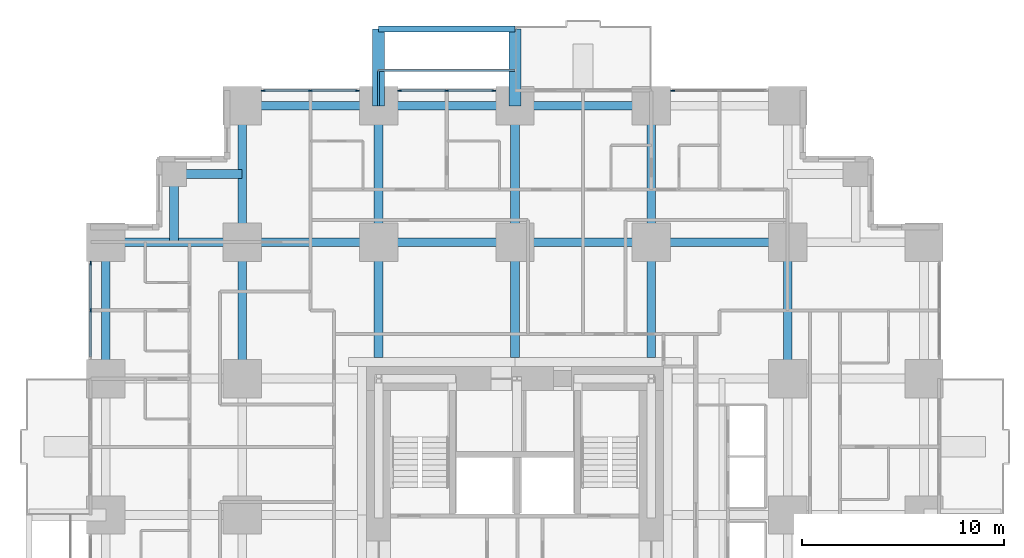
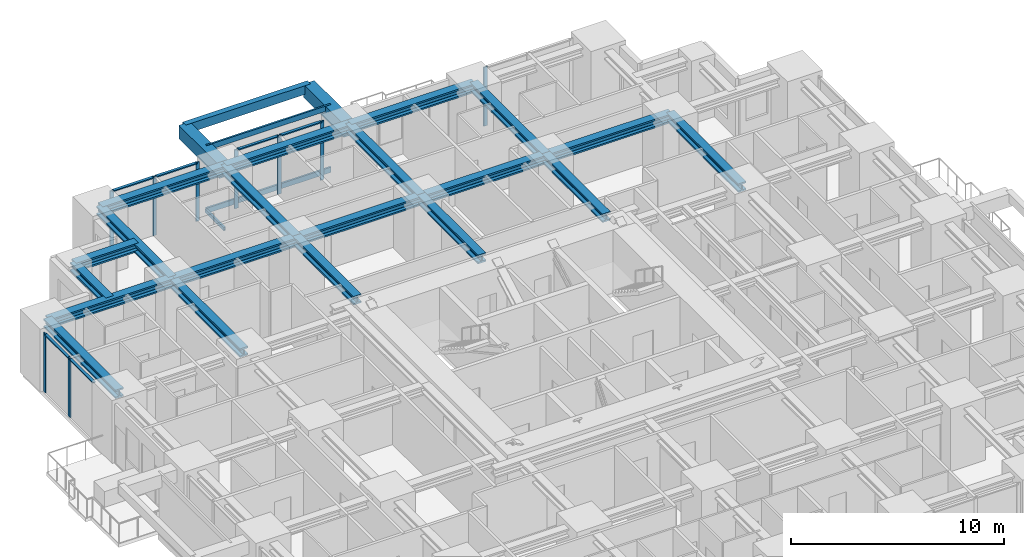
# One storey, part 5 of 14: 23 beams, 18 members, 4 elements without a shape of their own.
"""IFC4 building model written with IfcOpenShell, lengths in metres."""

from ifc_helpers import new_model, si_unit, direction, frame, origin, origin_2d, place, context, subcontext, project, spatial, rectangle, hollow_rectangle, i_section, extrude, material, material_profile, profile_set, type_object, element, aggregate, save


model = new_model("IFC4")

# Units and contexts
model_context = context("Model", 3, precision=1e-05, world=origin(), true_north=direction((0.0, 1.0)))
body_context = subcontext(model_context, "Body", "Model", "MODEL_VIEW")
ifc_project = project(units=[si_unit("LENGTHUNIT", "METRE"), si_unit("AREAUNIT", "SQUARE_METRE"), si_unit("VOLUMEUNIT", "CUBIC_METRE"), si_unit("PLANEANGLEUNIT", "RADIAN"), si_unit("MASSUNIT", "GRAM", prefix="KILO")], contexts=[model_context])

# Site, building, storey
site_placement = place(None, origin())
site = spatial("IfcSite", under=ifc_project, at=site_placement, CompositionType="ELEMENT")
building_placement = place(site_placement, origin())
building = spatial("IfcBuilding", under=site, at=building_placement, Name="Nyansa Garden Tower", CompositionType="ELEMENT")
storey_placement = place(building_placement, frame((0.0, 0.0, 21.60009765625)))
storey = spatial("IfcBuildingStorey", under=building, at=storey_placement, Name="L05", CompositionType="ELEMENT", Elevation=21.60009765625)

# Beams
ifc_material_1 = material(Name="Concrete C70/85", Category="concrete")
ifc_material_profile_1 = material_profile(ifc_material_1, rectangle(XDim=0.60009765625, YDim=0.75, at=origin_2d()), Name="RC 600x750")
ifc_profile_set_1 = profile_set([ifc_material_profile_1], Name="Concrete C70/85")
beam_type_1 = type_object("IfcBeamType", Name="Balcony cantilever beam CB1 RC 600x750", PredefinedType="BEAM", material=ifc_profile_set_1)
for number, where, z_axis, x_axis, name in (
    (1, (13.5, 40.5, 2.98486328125), (0.0, 1.0, 0.0), (-1.0, 0.0, 0.0), "Balcony cantilever beam L06"),
    (2, (20.25, 40.5, 2.98486328125), (0.0, 1.0, 0.0), (-1.0, 0.0, 0.0), "Balcony cantilever beam L06"),
):
    element("IfcBeam", number, at=place(storey_placement, frame(where, z_axis=z_axis, x_axis=x_axis)), inside=storey, type_object=beam_type_1, Name=name, PredefinedType="BEAM", context=body_context, shape_type="SweptSolid", body=[
        extrude(rectangle(XDim=0.60009765625, YDim=0.75, at=origin_2d()), origin(), (0.0, 0.0, 1.0), 3.800048828125),
    ])
ifc_material_2 = material(Name="Concrete C70/85", Category="concrete")
ifc_material_profile_2 = material_profile(ifc_material_2, rectangle(XDim=0.300048828125, YDim=0.5, at=origin_2d()), Name="RC 300x500")
ifc_profile_set_2 = profile_set([ifc_material_profile_2], Name="Concrete C70/85")
beam_type_2 = type_object("IfcBeamType", Name="Balcony edge beam BE1 RC 300x500", PredefinedType="BEAM", material=ifc_profile_set_2)
beam_1_placement = place(storey_placement, frame((13.5, 44.300048828125, 3.10986328125), z_axis=(1.0, 0.0, 0.0), x_axis=(0.0, 1.0, 0.0)))
element("IfcBeam", 3, at=beam_1_placement, inside=storey, type_object=beam_type_2, Name="Balcony edge beam L06", PredefinedType="BEAM", context=body_context, shape_type="SweptSolid", body=[
    extrude(rectangle(XDim=0.300048828125, YDim=0.5, at=origin_2d()), origin(), (0.0, 0.0, 1.0), 6.75),
])

# Curtain wall, members
ifc_material_3 = material(Name="Black anodised aluminium, dark tinted double glazing", Category="aluminium")
curtain_wall_type = type_object("IfcCurtainWallType", Name="Inner skin curtain wall ISW-A", PredefinedType="USERDEFINED", material=ifc_material_3)
curtain_wall_1_placement = place(storey_placement, origin())
curtain_wall_1 = element("IfcCurtainWall", 4, at=curtain_wall_1_placement, inside=storey, type_object=curtain_wall_type, Name="Inner skin curtain wall L05 N", ObjectType="UNITISED CURTAIN WALL", PredefinedType="USERDEFINED")
ifc_material_4 = material(Name="Black anodised aluminium", Category="aluminium")
ifc_material_profile_3 = material_profile(ifc_material_4, rectangle(XDim=0.06494140625, YDim=0.199951171875, at=origin_2d()), Name="Mullion 200x65")
ifc_profile_set_3 = profile_set([ifc_material_profile_3], Name="Black anodised aluminium")
member_type_1 = type_object("IfcMemberType", Name="Mullion ISW-A 200x65", PredefinedType="MULLION", material=ifc_profile_set_3)
member_1_placement = place(storey_placement, frame((19.199951171875, 41.25, 0.0), z_axis=(0.0, 0.0, 1.0), x_axis=(0.0, -1.0, 0.0)))
member_1 = element("IfcMember", 5, at=member_1_placement, type_object=member_type_1, Name="ISW-A mullion 1", PredefinedType="MULLION", context=body_context, shape_type="SweptSolid", body=[
    extrude(rectangle(XDim=0.06494140625, YDim=0.199951171875, at=origin_2d()), origin(), (0.0, 0.0, 1.0), 3.375),
])
member_2_placement = place(storey_placement, frame((16.875, 41.25, 0.0), z_axis=(0.0, 0.0, 1.0), x_axis=(0.0, -1.0, 0.0)))
member_2 = element("IfcMember", 6, at=member_2_placement, type_object=member_type_1, Name="ISW-A mullion 2", PredefinedType="MULLION", context=body_context, shape_type="SweptSolid", body=[
    extrude(rectangle(XDim=0.06494140625, YDim=0.199951171875, at=origin_2d()), origin(), (0.0, 0.0, 1.0), 3.375),
])
member_3_placement = place(storey_placement, frame((14.550048828125, 41.25, 0.0), z_axis=(0.0, 0.0, 1.0), x_axis=(0.0, -1.0, 0.0)))
member_3 = element("IfcMember", 7, at=member_3_placement, type_object=member_type_1, Name="ISW-A mullion 3", PredefinedType="MULLION", context=body_context, shape_type="SweptSolid", body=[
    extrude(rectangle(XDim=0.06494140625, YDim=0.199951171875, at=origin_2d()), origin(), (0.0, 0.0, 1.0), 3.375),
])

curtain_wall_2_placement = place(storey_placement, origin())
curtain_wall_2 = element("IfcCurtainWall", 8, at=curtain_wall_2_placement, inside=storey, type_object=curtain_wall_type, Name="Inner skin curtain wall L05 N", ObjectType="UNITISED CURTAIN WALL", PredefinedType="USERDEFINED")
member_4_placement = place(storey_placement, frame((12.449951171875, 41.25, 0.0), z_axis=(0.0, 0.0, 1.0), x_axis=(0.0, -1.0, 0.0)))
member_4 = element("IfcMember", 9, at=member_4_placement, type_object=member_type_1, Name="ISW-A mullion 1", PredefinedType="MULLION", context=body_context, shape_type="SweptSolid", body=[
    extrude(rectangle(XDim=0.06494140625, YDim=0.199951171875, at=origin_2d()), origin(), (0.0, 0.0, 1.0), 3.375),
])
member_5_placement = place(storey_placement, frame((10.125, 41.25, 0.0), z_axis=(0.0, 0.0, 1.0), x_axis=(0.0, -1.0, 0.0)))
member_5 = element("IfcMember", 10, at=member_5_placement, type_object=member_type_1, Name="ISW-A mullion 2", PredefinedType="MULLION", context=body_context, shape_type="SweptSolid", body=[
    extrude(rectangle(XDim=0.06494140625, YDim=0.199951171875, at=origin_2d()), origin(), (0.0, 0.0, 1.0), 3.375),
])
member_6_placement = place(storey_placement, frame((7.800048828125, 41.25, 0.0), z_axis=(0.0, 0.0, 1.0), x_axis=(0.0, -1.0, 0.0)))
member_6 = element("IfcMember", 11, at=member_6_placement, type_object=member_type_1, Name="ISW-A mullion 3", PredefinedType="MULLION", context=body_context, shape_type="SweptSolid", body=[
    extrude(rectangle(XDim=0.06494140625, YDim=0.199951171875, at=origin_2d()), origin(), (0.0, 0.0, 1.0), 3.375),
])

# Curtain wall, member
curtain_wall_3_placement = place(storey_placement, origin())
curtain_wall_3 = element("IfcCurtainWall", 12, at=curtain_wall_3_placement, inside=storey, type_object=curtain_wall_type, Name="Inner skin curtain wall L05 N", ObjectType="UNITISED CURTAIN WALL", PredefinedType="USERDEFINED")
member_7_placement = place(storey_placement, frame((28.050048828125, 41.25, 0.0), z_axis=(0.0, 0.0, 1.0), x_axis=(0.0, -1.0, 0.0)))
member_7 = element("IfcMember", 13, at=member_7_placement, type_object=member_type_1, Name="ISW-A mullion 3", PredefinedType="MULLION", context=body_context, shape_type="SweptSolid", body=[
    extrude(rectangle(XDim=0.06494140625, YDim=0.199951171875, at=origin_2d()), origin(), (0.0, 0.0, 1.0), 3.375),
])
aggregate(curtain_wall_3, [member_7])

# Curtain wall, members
curtain_wall_4_placement = place(storey_placement, origin())
curtain_wall_4 = element("IfcCurtainWall", 14, at=curtain_wall_4_placement, inside=storey, type_object=curtain_wall_type, Name="Inner skin curtain wall L05 W", ObjectType="UNITISED CURTAIN WALL", PredefinedType="USERDEFINED")
member_8_placement = place(storey_placement, frame((-0.75, 32.699951171875, 0.0), z_axis=(0.0, 0.0, 1.0), x_axis=(1.0, 0.0, 0.0)))
member_8 = element("IfcMember", 15, at=member_8_placement, type_object=member_type_1, Name="ISW-A mullion 1", PredefinedType="MULLION", context=body_context, shape_type="SweptSolid", body=[
    extrude(rectangle(XDim=0.06494140625, YDim=0.199951171875, at=origin_2d()), origin(), (0.0, 0.0, 1.0), 3.375),
])
member_9_placement = place(storey_placement, frame((-0.75, 30.375, 0.0), z_axis=(0.0, 0.0, 1.0), x_axis=(1.0, 0.0, 0.0)))
member_9 = element("IfcMember", 16, at=member_9_placement, type_object=member_type_1, Name="ISW-A mullion 2", PredefinedType="MULLION", context=body_context, shape_type="SweptSolid", body=[
    extrude(rectangle(XDim=0.06494140625, YDim=0.199951171875, at=origin_2d()), origin(), (0.0, 0.0, 1.0), 3.375),
])

# Members
ifc_material_5 = material(Name="Steel S355, black powder coated", Category="steel")
ifc_material_profile_4 = material_profile(ifc_material_5, hollow_rectangle(XDim=0.10009765625, YDim=0.199951171875, WallThickness=0.008056640625, at=origin_2d()), Name="RHS 200x100x8")
ifc_profile_set_4 = profile_set([ifc_material_profile_4], Name="Steel S355, black powder coated")
member_type_2 = type_object("IfcMemberType", Name="Outer skin bracket arm RHS 200x100x8", PredefinedType="USERDEFINED", material=ifc_profile_set_4)
member_10_placement = place(storey_placement, frame((13.5, 40.5, -0.375), z_axis=(0.0, 1.0, 0.0), x_axis=(-1.0, 0.0, 0.0)))
element("IfcMember", 17, at=member_10_placement, inside=storey, type_object=member_type_2, Name="Outer skin bracket arm", ObjectType="OUTER SKIN BRACKET", PredefinedType="USERDEFINED", context=body_context, shape_type="SweptSolid", body=[
    extrude(hollow_rectangle(XDim=0.10009765625, YDim=0.199951171875, WallThickness=0.008056640625, at=origin_2d()), origin(), (0.0, 0.0, 1.0), 1.75),
])
ifc_material_6 = material(Name="Steel S355, black powder coated", Category="steel")
ifc_material_profile_5 = material_profile(ifc_material_6, hollow_rectangle(XDim=0.10009765625, YDim=0.300048828125, WallThickness=0.010009765625, at=origin_2d()), Name="RHS 300x100x10")
ifc_profile_set_5 = profile_set([ifc_material_profile_5], Name="Steel S355, black powder coated")
member_type_3 = type_object("IfcMemberType", Name="Outer skin rail RHS 300x100x10", PredefinedType="USERDEFINED", material=ifc_profile_set_5)
for number, where, z_axis, x_axis, name in (
    (18, (13.5, 42.25, -0.375), (1.0, 0.0, 0.0), (0.0, 1.0, 0.0), "Outer skin rail L05"),
    (19, (13.5, 42.25, 3.224853515625), (1.0, 0.0, 0.0), (0.0, 1.0, 0.0), "Outer skin rail L05 head"),
):
    element("IfcMember", number, at=place(storey_placement, frame(where, z_axis=z_axis, x_axis=x_axis)), inside=storey, type_object=member_type_3, Name=name, ObjectType="OUTER SKIN RAIL", PredefinedType="USERDEFINED", context=body_context, shape_type="SweptSolid", body=[
        extrude(hollow_rectangle(XDim=0.10009765625, YDim=0.300048828125, WallThickness=0.010009765625, at=origin_2d()), origin(), (0.0, 0.0, 1.0), 6.75),
    ])

# Beams
ifc_material_7 = material(Name="Steel S355", Category="steel")
ifc_material_profile_6 = material_profile(ifc_material_7, i_section(OverallWidth=0.431884765625, OverallDepth=0.498046875, WebThickness=0.0556640625, FlangeThickness=0.0888671875, FilletRadius=0.014892578125, at=origin_2d()), Name="HD 400x744")
ifc_profile_set_6 = profile_set([ifc_material_profile_6], Name="Steel S355")
beam_type_3 = type_object("IfcBeamType", Name="Steel beam SBA1-744 HD 400x744", PredefinedType="BEAM", material=ifc_profile_set_6)
for number, where, z_axis, x_axis, name in (
    (20, (0.0, 33.75, 3.1259765625), (1.0, 0.0, 0.0), (0.0, 1.0, 0.0), "Steel beam 2/J-3/J L06"),
    (21, (6.75, 27.0, 3.1259765625), (0.0, 1.0, 0.0), (-1.0, 0.0, 0.0), "Steel beam 3/H-3/J L06"),
    (22, (6.75, 33.75, 3.1259765625), (0.0, 1.0, 0.0), (-1.0, 0.0, 0.0), "Steel beam 3/J-3/K L06"),
    (23, (6.75, 33.75, 3.1259765625), (1.0, 0.0, 0.0), (0.0, 1.0, 0.0), "Steel beam 3/J-4/J L06"),
):
    element("IfcBeam", number, at=place(storey_placement, frame(where, z_axis=z_axis, x_axis=x_axis)), inside=storey, type_object=beam_type_3, Name=name, PredefinedType="BEAM", context=body_context, shape_type="SweptSolid", body=[
        extrude(i_section(OverallWidth=0.431884765625, OverallDepth=0.498046875, WebThickness=0.0556640625, FlangeThickness=0.0888671875, FilletRadius=0.014892578125, at=origin_2d()), origin(), (0.0, 0.0, 1.0), 6.75),
    ])
beam_2_placement = place(storey_placement, frame((13.5, 28.050048828125, 3.1259765625), z_axis=(0.0, 1.0, 0.0), x_axis=(-1.0, 0.0, 0.0)))
element("IfcBeam", 24, at=beam_2_placement, inside=storey, type_object=beam_type_3, Name="Steel beam 4/28.050-4/J L06", PredefinedType="BEAM", context=body_context, shape_type="SweptSolid", body=[
    extrude(i_section(OverallWidth=0.431884765625, OverallDepth=0.498046875, WebThickness=0.0556640625, FlangeThickness=0.0888671875, FilletRadius=0.014892578125, at=origin_2d()), origin(), (0.0, 0.0, 1.0), 5.699951171875),
])
for number, where, z_axis, x_axis, name in (
    (25, (13.5, 33.75, 3.1259765625), (0.0, 1.0, 0.0), (-1.0, 0.0, 0.0), "Steel beam 4/J-4/K L06"),
    (26, (13.5, 33.75, 3.1259765625), (1.0, 0.0, 0.0), (0.0, 1.0, 0.0), "Steel beam 4/J-5/J L06"),
):
    element("IfcBeam", number, at=place(storey_placement, frame(where, z_axis=z_axis, x_axis=x_axis)), inside=storey, type_object=beam_type_3, Name=name, PredefinedType="BEAM", context=body_context, shape_type="SweptSolid", body=[
        extrude(i_section(OverallWidth=0.431884765625, OverallDepth=0.498046875, WebThickness=0.0556640625, FlangeThickness=0.0888671875, FilletRadius=0.014892578125, at=origin_2d()), origin(), (0.0, 0.0, 1.0), 6.75),
    ])
beam_3_placement = place(storey_placement, frame((20.25, 28.050048828125, 3.1259765625), z_axis=(0.0, 1.0, 0.0), x_axis=(-1.0, 0.0, 0.0)))
element("IfcBeam", 27, at=beam_3_placement, inside=storey, type_object=beam_type_3, Name="Steel beam 5/28.050-5/J L06", PredefinedType="BEAM", context=body_context, shape_type="SweptSolid", body=[
    extrude(i_section(OverallWidth=0.431884765625, OverallDepth=0.498046875, WebThickness=0.0556640625, FlangeThickness=0.0888671875, FilletRadius=0.014892578125, at=origin_2d()), origin(), (0.0, 0.0, 1.0), 5.699951171875),
])
for number, where, z_axis, x_axis, name in (
    (28, (20.25, 33.75, 3.1259765625), (0.0, 1.0, 0.0), (-1.0, 0.0, 0.0), "Steel beam 5/J-5/K L06"),
    (29, (20.25, 33.75, 3.1259765625), (1.0, 0.0, 0.0), (0.0, 1.0, 0.0), "Steel beam 5/J-6/J L06"),
):
    element("IfcBeam", number, at=place(storey_placement, frame(where, z_axis=z_axis, x_axis=x_axis)), inside=storey, type_object=beam_type_3, Name=name, PredefinedType="BEAM", context=body_context, shape_type="SweptSolid", body=[
        extrude(i_section(OverallWidth=0.431884765625, OverallDepth=0.498046875, WebThickness=0.0556640625, FlangeThickness=0.0888671875, FilletRadius=0.014892578125, at=origin_2d()), origin(), (0.0, 0.0, 1.0), 6.75),
    ])
beam_4_placement = place(storey_placement, frame((27.0, 28.050048828125, 3.1259765625), z_axis=(0.0, 1.0, 0.0), x_axis=(-1.0, 0.0, 0.0)))
element("IfcBeam", 30, at=beam_4_placement, inside=storey, type_object=beam_type_3, Name="Steel beam 6/28.050-6/J L06", PredefinedType="BEAM", context=body_context, shape_type="SweptSolid", body=[
    extrude(i_section(OverallWidth=0.431884765625, OverallDepth=0.498046875, WebThickness=0.0556640625, FlangeThickness=0.0888671875, FilletRadius=0.014892578125, at=origin_2d()), origin(), (0.0, 0.0, 1.0), 5.699951171875),
])
for number, where, z_axis, x_axis, name in (
    (31, (27.0, 33.75, 3.1259765625), (0.0, 1.0, 0.0), (-1.0, 0.0, 0.0), "Steel beam 6/J-6/K L06"),
    (32, (27.0, 33.75, 3.1259765625), (1.0, 0.0, 0.0), (0.0, 1.0, 0.0), "Steel beam 6/J-7/J L06"),
    (33, (33.75, 27.0, 3.1259765625), (0.0, 1.0, 0.0), (-1.0, 0.0, 0.0), "Steel beam 7/H-7/J L06"),
):
    element("IfcBeam", number, at=place(storey_placement, frame(where, z_axis=z_axis, x_axis=x_axis)), inside=storey, type_object=beam_type_3, Name=name, PredefinedType="BEAM", context=body_context, shape_type="SweptSolid", body=[
        extrude(i_section(OverallWidth=0.431884765625, OverallDepth=0.498046875, WebThickness=0.0556640625, FlangeThickness=0.0888671875, FilletRadius=0.014892578125, at=origin_2d()), origin(), (0.0, 0.0, 1.0), 6.75),
    ])
ifc_material_8 = material(Name="Steel S355", Category="steel")
ifc_material_profile_7 = material_profile(ifc_material_8, i_section(OverallWidth=0.431884765625, OverallDepth=0.498046875, WebThickness=0.0556640625, FlangeThickness=0.0888671875, FilletRadius=0.014892578125, at=origin_2d()), Name="HD 400x744")
ifc_profile_set_7 = profile_set([ifc_material_profile_7], Name="Steel S355")
beam_type_4 = type_object("IfcBeamType", Name="Steel beam SEBA-744 HD 400x744", PredefinedType="BEAM", material=ifc_profile_set_7)
for number, where, z_axis, x_axis, name in (
    (34, (0.0, 27.0, 3.1259765625), (0.0, 1.0, 0.0), (-1.0, 0.0, 0.0), "Steel edge beam 2/H-2/J L06"),
    (35, (6.75, 40.5, 3.1259765625), (1.0, 0.0, 0.0), (0.0, 1.0, 0.0), "Steel edge beam 3/K-4/K L06"),
    (36, (13.5, 40.5, 3.1259765625), (1.0, 0.0, 0.0), (0.0, 1.0, 0.0), "Steel edge beam 4/K-5/K L06"),
    (37, (20.25, 40.5, 3.1259765625), (1.0, 0.0, 0.0), (0.0, 1.0, 0.0), "Steel edge beam 5/K-6/K L06"),
):
    element("IfcBeam", number, at=place(storey_placement, frame(where, z_axis=z_axis, x_axis=x_axis)), inside=storey, type_object=beam_type_4, Name=name, PredefinedType="BEAM", context=body_context, shape_type="SweptSolid", body=[
        extrude(i_section(OverallWidth=0.431884765625, OverallDepth=0.498046875, WebThickness=0.0556640625, FlangeThickness=0.0888671875, FilletRadius=0.014892578125, at=origin_2d()), origin(), (0.0, 0.0, 1.0), 6.75),
    ])
ifc_material_9 = material(Name="Steel S355", Category="steel")
ifc_material_profile_8 = material_profile(ifc_material_9, i_section(OverallWidth=0.431884765625, OverallDepth=0.498046875, WebThickness=0.0556640625, FlangeThickness=0.0888671875, FilletRadius=0.014892578125, at=origin_2d()), Name="HD 400x744")
ifc_profile_set_8 = profile_set([ifc_material_profile_8], Name="Steel S355")
beam_type_5 = type_object("IfcBeamType", Name="Steel beam SSB1-744 HD 400x744", PredefinedType="BEAM", material=ifc_profile_set_8)
for number, where, z_axis, x_axis, name in (
    (38, (3.375, 37.125, 3.1259765625), (0.0, -1.0, 0.0), (1.0, 0.0, 0.0), "Steel step beam 3.375/37.125 L06"),
    (39, (3.375, 37.125, 3.1259765625), (1.0, 0.0, 0.0), (0.0, 1.0, 0.0), "Steel step beam 3.375/37.125 L06"),
):
    element("IfcBeam", number, at=place(storey_placement, frame(where, z_axis=z_axis, x_axis=x_axis)), inside=storey, type_object=beam_type_5, Name=name, PredefinedType="BEAM", context=body_context, shape_type="SweptSolid", body=[
        extrude(i_section(OverallWidth=0.431884765625, OverallDepth=0.498046875, WebThickness=0.0556640625, FlangeThickness=0.0888671875, FilletRadius=0.014892578125, at=origin_2d()), origin(), (0.0, 0.0, 1.0), 3.375),
    ])

# Member
ifc_material_10 = material(Name="Black anodised aluminium", Category="aluminium")
ifc_material_profile_9 = material_profile(ifc_material_10, rectangle(XDim=0.14990234375, YDim=0.06494140625, at=origin_2d()), Name="Transom 150x65")
ifc_profile_set_9 = profile_set([ifc_material_profile_9], Name="Black anodised aluminium")
member_type_4 = type_object("IfcMemberType", Name="Transom ISW-A 150x65", PredefinedType="USERDEFINED", material=ifc_profile_set_9)
member_11_placement = place(storey_placement, frame((19.16748046875, 41.25, 3.34228515625), z_axis=(-1.0, 0.0, 0.0), x_axis=(0.0, -1.0, 0.0)))
member_11 = element("IfcMember", 40, at=member_11_placement, type_object=member_type_4, Name="ISW-A transom 1", ObjectType="TRANSOM", PredefinedType="USERDEFINED", context=body_context, shape_type="SweptSolid", body=[
    extrude(rectangle(XDim=0.14990234375, YDim=0.06494140625, at=origin_2d()), origin(), (0.0, 0.0, 1.0), 2.260009765625),
])

member_12_placement = place(storey_placement, frame((16.842529296875, 41.25, 3.34228515625), z_axis=(-1.0, 0.0, 0.0), x_axis=(0.0, -1.0, 0.0)))
member_12 = element("IfcMember", 41, at=member_12_placement, type_object=member_type_4, Name="ISW-A transom 2", ObjectType="TRANSOM", PredefinedType="USERDEFINED", context=body_context, shape_type="SweptSolid", body=[
    extrude(rectangle(XDim=0.14990234375, YDim=0.06494140625, at=origin_2d()), origin(), (0.0, 0.0, 1.0), 2.260009765625),
])

aggregate(curtain_wall_1, [member_1, member_2, member_3, member_11, member_12])

member_13_placement = place(storey_placement, frame((12.41748046875, 41.25, 3.34228515625), z_axis=(-1.0, 0.0, 0.0), x_axis=(0.0, -1.0, 0.0)))
member_13 = element("IfcMember", 42, at=member_13_placement, type_object=member_type_4, Name="ISW-A transom 1", ObjectType="TRANSOM", PredefinedType="USERDEFINED", context=body_context, shape_type="SweptSolid", body=[
    extrude(rectangle(XDim=0.14990234375, YDim=0.06494140625, at=origin_2d()), origin(), (0.0, 0.0, 1.0), 2.260009765625),
])

member_14_placement = place(storey_placement, frame((10.092529296875, 41.25, 3.34228515625), z_axis=(-1.0, 0.0, 0.0), x_axis=(0.0, -1.0, 0.0)))
member_14 = element("IfcMember", 43, at=member_14_placement, type_object=member_type_4, Name="ISW-A transom 2", ObjectType="TRANSOM", PredefinedType="USERDEFINED", context=body_context, shape_type="SweptSolid", body=[
    extrude(rectangle(XDim=0.14990234375, YDim=0.06494140625, at=origin_2d()), origin(), (0.0, 0.0, 1.0), 2.260009765625),
])

aggregate(curtain_wall_2, [member_4, member_5, member_6, member_13, member_14])

member_15_placement = place(storey_placement, frame((-0.75, 32.66748046875, 3.34228515625), z_axis=(0.0, -1.0, 0.0), x_axis=(1.0, 0.0, 0.0)))
member_15 = element("IfcMember", 44, at=member_15_placement, type_object=member_type_4, Name="ISW-A transom 1", ObjectType="TRANSOM", PredefinedType="USERDEFINED", context=body_context, shape_type="SweptSolid", body=[
    extrude(rectangle(XDim=0.14990234375, YDim=0.06494140625, at=origin_2d()), origin(), (0.0, 0.0, 1.0), 2.260009765625),
])

member_16_placement = place(storey_placement, frame((-0.75, 30.342529296875, 3.34228515625), z_axis=(0.0, -1.0, 0.0), x_axis=(1.0, 0.0, 0.0)))
member_16 = element("IfcMember", 45, at=member_16_placement, type_object=member_type_4, Name="ISW-A transom 2", ObjectType="TRANSOM", PredefinedType="USERDEFINED", context=body_context, shape_type="SweptSolid", body=[
    extrude(rectangle(XDim=0.14990234375, YDim=0.06494140625, at=origin_2d()), origin(), (0.0, 0.0, 1.0), 2.260009765625),
])

aggregate(curtain_wall_4, [member_8, member_9, member_15, member_16])

save(model, "model.ifc")
